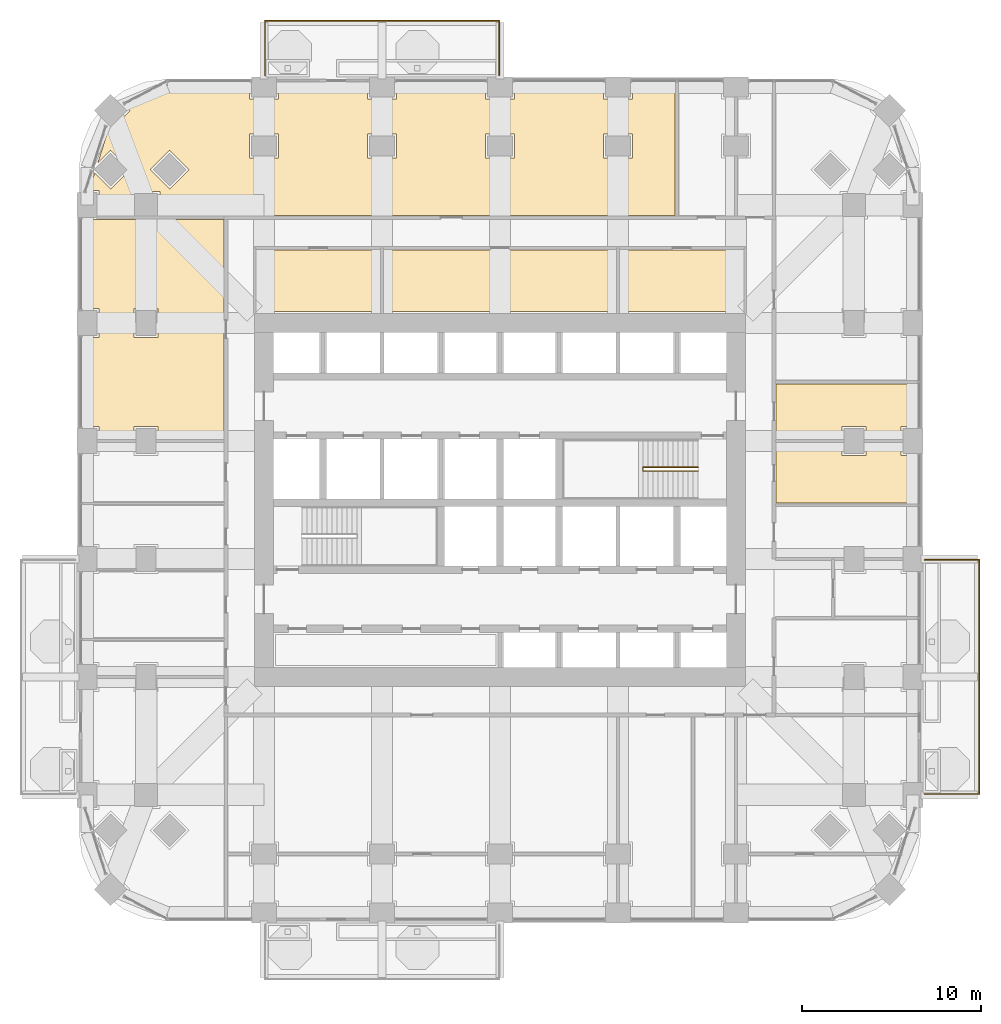
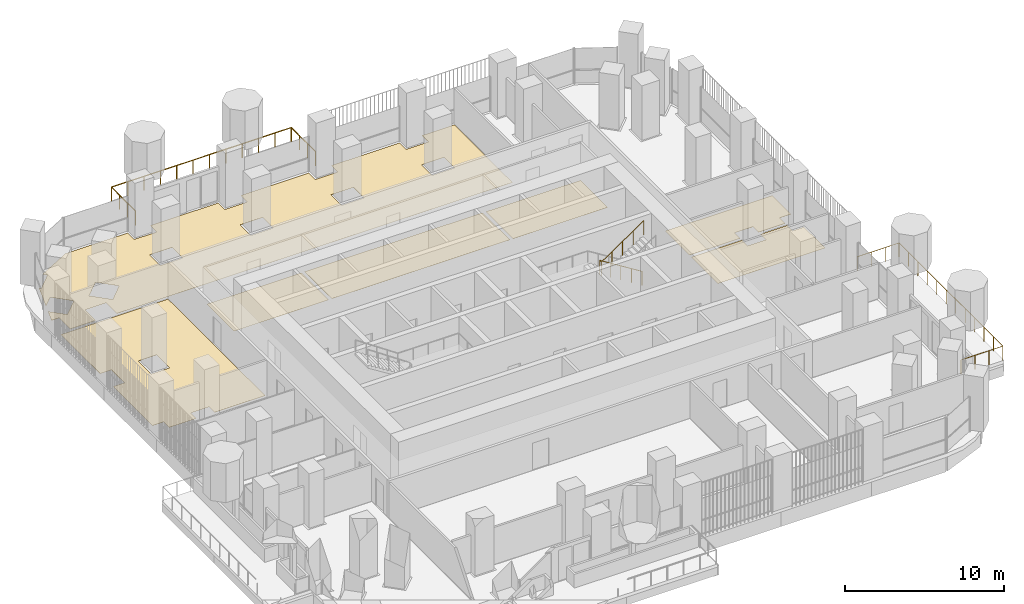
# One storey, part 19 of 21: 7 coverings, 3 railings.
"""IFC4 building model written with IfcOpenShell, lengths in metres."""

import ifcopenshell
import ifcopenshell.guid

model = None  # the IFC model being written
_history = None  # IfcOwnerHistory: only IFC2X3 demands one
_inside = {}  # id of a spatial element -> (the spatial element, [elements in it])
_under = {}  # id of a project, library or spatial element -> (it, [spatial elements below it])
_declared = {}  # id of a project -> (the project, [libraries it declares])
_typed = {}  # id of a type object -> (the type object, [elements of that type])
_made_of = {}  # id of a material, layer set ... -> (it, [elements and type objects made of it])


def new_model(schema):
    """Start an empty IFC model of exactly this schema.

    Asked for "IFC4X3", IfcOpenShell would pick the latest addendum, in which some entities
    have other attributes; the version numbers below select the first issue.
    IFC2X3 requires an IfcOwnerHistory on every rooted entity: one is made here for all.
    """
    global model, _history
    if schema == "IFC4X3":
        model = ifcopenshell.file(schema_version=(4, 3, 0, 0))
    else:
        model = ifcopenshell.file(schema=schema)
    _inside.clear()
    _under.clear()
    _declared.clear()
    _typed.clear()
    _made_of.clear()
    _history = None
    if model.schema == "IFC2X3":
        org = make("IfcOrganization", Name="unknown")
        user = make(
            "IfcPersonAndOrganization",
            ThePerson=make("IfcPerson", FamilyName="unknown"),
            TheOrganization=org,
        )
        app = make(
            "IfcApplication",
            ApplicationDeveloper=org,
            Version="unknown",
            ApplicationFullName="unknown",
            ApplicationIdentifier="unknown",
        )
        _history = make(
            "IfcOwnerHistory",
            OwningUser=user,
            OwningApplication=app,
            ChangeAction="ADDED",
            CreationDate=0,
        )
    return model


def make(cls, **values):
    """One entity of the class cls with the attributes given. An attribute that is None is left unset."""
    return model.create_entity(
        cls, **{name: value for name, value in values.items() if value is not None}
    )


def rooted(cls, **values):
    """An entity with a GlobalId (a new one), such as an element, a storey or a relation."""
    return make(cls, GlobalId=ifcopenshell.guid.new(), OwnerHistory=_history, **values)


def si_unit(unit_type, name, prefix=None):
    """IfcSIUnit, for example si_unit("LENGTHUNIT", "METRE", prefix="MILLI")."""
    return make("IfcSIUnit", UnitType=unit_type, Prefix=prefix, Name=name)


def assignment(units):
    """IfcUnitAssignment: the units of a project."""
    return None if units is None else make("IfcUnitAssignment", Units=units)


def point(xyz):
    """IfcCartesianPoint."""
    return None if xyz is None else make("IfcCartesianPoint", Coordinates=xyz)


def direction(xyz):
    """IfcDirection."""
    return None if xyz is None else make("IfcDirection", DirectionRatios=xyz)


def frame(location, z_axis=None, x_axis=None):
    """IfcAxis2Placement3D, a coordinate frame: its origin and axes. An axis left out is left unset."""
    return make(
        "IfcAxis2Placement3D",
        Location=point(location),
        Axis=direction(z_axis),
        RefDirection=direction(x_axis),
    )


def origin():
    """The frame at (0, 0, 0) with its axes left unset."""
    return frame((0.0, 0.0, 0.0))


def place(relative_to, where):
    """IfcLocalPlacement: puts the frame where relative to a parent placement (None: the world)."""
    return make(
        "IfcLocalPlacement", PlacementRelTo=relative_to, RelativePlacement=where
    )


def context(
    kind, dimensions, precision=None, world=None, true_north=None, identifier=None
):
    """IfcGeometricRepresentationContext, for example the 3D "Model" context."""
    return make(
        "IfcGeometricRepresentationContext",
        ContextIdentifier=identifier,
        ContextType=kind,
        CoordinateSpaceDimension=dimensions,
        Precision=precision,
        WorldCoordinateSystem=world,
        TrueNorth=true_north,
    )


def subcontext(parent, identifier, kind, view, scale=None):
    """IfcGeometricRepresentationSubContext, for example "Body" below "Model"."""
    return make(
        "IfcGeometricRepresentationSubContext",
        ContextIdentifier=identifier,
        ContextType=kind,
        ParentContext=parent,
        TargetScale=scale,
        TargetView=view,
    )


def project(units=None, contexts=None):
    """IfcProject with its units and contexts."""
    return rooted(
        "IfcProject",
        Name="project",
        RepresentationContexts=contexts,
        UnitsInContext=assignment(units),
    )


def spatial(cls, under=None, at=None, **own):
    """A site, building, storey or space (cls), placed at a placement, below another one or the project."""
    s = rooted(cls, ObjectPlacement=at, **own)
    if under is not None:
        _under.setdefault(under.id(), (under, []))[1].append(s)
    return s


def polyline(points):
    """IfcPolyline through the points."""
    return make("IfcPolyline", Points=[point(p) for p in points])


def outline(outer, holes=None, kind="AREA"):
    """IfcArbitraryClosedProfileDef: a profile drawn as a closed curve; with holes, ...WithVoids."""
    if holes is None:
        return make("IfcArbitraryClosedProfileDef", ProfileType=kind, OuterCurve=outer)
    return make(
        "IfcArbitraryProfileDefWithVoids",
        ProfileType=kind,
        OuterCurve=outer,
        InnerCurves=holes,
    )


def extrude(swept, where, along, depth):
    """IfcExtrudedAreaSolid: the profile swept, set in the frame where, extruded along a direction by depth."""
    return make(
        "IfcExtrudedAreaSolid",
        SweptArea=swept,
        Position=where,
        ExtrudedDirection=direction(along),
        Depth=depth,
    )


def shape(context_of_items, identifier, shape_type, items):
    """IfcShapeRepresentation: the items that make up one representation, for example the "Body"."""
    return make(
        "IfcShapeRepresentation",
        ContextOfItems=context_of_items,
        RepresentationIdentifier=identifier,
        RepresentationType=shape_type,
        Items=items,
    )


def material(Name=None, Category=None):
    """IfcMaterial."""
    return make("IfcMaterial", Name=Name, Category=Category)


def layer(
    of_material, thickness, ventilated=None, Name=None, Category=None, Priority=None
):
    """IfcMaterialLayer: one layer of a wall or slab, of a material (None: an air gap)."""
    return make(
        "IfcMaterialLayer",
        Material=of_material,
        LayerThickness=thickness,
        IsVentilated=ventilated,
        Name=Name,
        Category=Category,
        Priority=Priority,
    )


def layer_set(layers, Name=None):
    """IfcMaterialLayerSet."""
    return make("IfcMaterialLayerSet", MaterialLayers=layers, LayerSetName=Name)


def made_of(thing, what):
    """Note that an element or type object is made of a material, layer set ...; save() writes the relation."""
    if what is not None:
        _made_of.setdefault(what.id(), (what, []))[1].append(thing)
    return thing


def type_object(cls, material=None, **own):
    """A type object (cls), such as IfcWallType, which elements share."""
    return made_of(rooted(cls, **own), material)


def element(
    cls,
    number,
    at=None,
    inside=None,
    cuts=None,
    type_object=None,
    material=None,
    context=None,
    identifier="Body",
    shape_type=None,
    held_by="IfcProductDefinitionShape",
    body=None,
    shapes=None,
    **own,
):
    """One element of the class cls, such as IfcWall. Its Tag is "e" and its number.

    at: its placement. inside: the storey or other place that contains it. cuts: it is an
    opening in that element (IfcRelVoidsElement). A single representation is given by context,
    identifier, shape_type and body (its items); several are given by shapes. held_by: the class
    of the entity that holds the representations. save() writes the other relations.
    """
    e = rooted(cls, Tag="e%d" % number, ObjectPlacement=at, **own)
    if body is not None:
        shapes = [shape(context, identifier, shape_type, body)]
    if shapes is not None:
        e.Representation = make(held_by, Representations=shapes)
    if inside is not None:
        _inside.setdefault(inside.id(), (inside, []))[1].append(e)
    if cuts is not None:
        rooted(
            "IfcRelVoidsElement", RelatingBuildingElement=cuts, RelatedOpeningElement=e
        )
    if type_object is not None:
        _typed.setdefault(type_object.id(), (type_object, []))[1].append(e)
    return made_of(e, material)


def aggregate(whole, parts):
    """IfcRelAggregates: a whole, such as a stair, and the parts it consists of."""
    return rooted("IfcRelAggregates", RelatingObject=whole, RelatedObjects=parts)


def save(model, path):
    """Write the relations noted so far, then the file.

    IfcRelAggregates (storeys below a building ...), IfcRelContainedInSpatialStructure (elements
    in a storey), IfcRelDefinesByType, IfcRelAssociatesMaterial and IfcRelDeclares: one each for
    every whole, place, type object, material and project.
    """
    for whole, parts in _under.values():
        aggregate(whole, parts)
    for where, things in _inside.values():
        rooted(
            "IfcRelContainedInSpatialStructure",
            RelatedElements=things,
            RelatingStructure=where,
        )
    for kind, things in _typed.values():
        rooted("IfcRelDefinesByType", RelatedObjects=things, RelatingType=kind)
    for what, things in _made_of.values():
        rooted("IfcRelAssociatesMaterial", RelatedObjects=things, RelatingMaterial=what)
    for by, libraries in _declared.values():
        rooted("IfcRelDeclares", RelatingContext=by, RelatedDefinitions=libraries)
    model.write(path)


model = new_model("IFC4")

# Units and contexts
model_context = context("Model", 3, precision=1e-05, world=origin(), true_north=direction((0.0, 1.0)))
body_context = subcontext(model_context, "Body", "Model", "MODEL_VIEW")
ifc_project = project(units=[si_unit("LENGTHUNIT", "METRE"), si_unit("AREAUNIT", "SQUARE_METRE"), si_unit("VOLUMEUNIT", "CUBIC_METRE"), si_unit("PLANEANGLEUNIT", "RADIAN"), si_unit("MASSUNIT", "GRAM", prefix="KILO")], contexts=[model_context])

# Site, building, storey
site_placement = place(None, origin())
site = spatial("IfcSite", under=ifc_project, at=site_placement, CompositionType="ELEMENT")
building_placement = place(site_placement, origin())
building = spatial("IfcBuilding", under=site, at=building_placement, Name="Cobogo Forest Laboratory Tower", CompositionType="ELEMENT")
storey_placement = place(building_placement, frame((0.0, 0.0, 124.199951171875)))
storey = spatial("IfcBuildingStorey", under=building, at=storey_placement, Name="L28", CompositionType="ELEMENT", Elevation=124.199951171875)

# Railings
ifc_material_1 = material(Name="Laminated glass balustrade", Category="glass")
railing_type_1 = type_object("IfcRailingType", Name="BG1 glass balustrade 1100", PredefinedType="GUARDRAIL", material=ifc_material_1)
railing_1_placement = place(storey_placement, frame((50.14990234375, 6.64990234375, 0.0)))
element("IfcRailing", 1, at=railing_1_placement, inside=storey, type_object=railing_type_1, Name="Balcony balustrade BAL-E1 L28", PredefinedType="GUARDRAIL", context=body_context, shape_type="SweptSolid", body=[
    extrude(outline(polyline([(0.022216796875, 0.00927734375), (0.00927734375, 0.022216796875), (-0.00927734375, 0.022216796875), (-0.022216796875, 0.00927734375), (-0.022216796875, -0.00927734375), (-0.00927734375, -0.022216796875), (0.00927734375, -0.022216796875), (0.022216796875, -0.00927734375), (0.022216796875, 0.00927734375)])), frame((0.0, 0.0, 1.077880859375), z_axis=(1.0, 0.0, 0.0), x_axis=(0.0, 1.0, 0.0)), (0.0, 0.0, 1.0), 3.050048828125),
    extrude(outline(polyline([(0.022216796875, 0.00927734375), (0.00927734375, 0.022216796875), (-0.00927734375, 0.022216796875), (-0.022216796875, 0.00927734375), (-0.022216796875, -0.00927734375), (-0.00927734375, -0.022216796875), (0.00927734375, -0.022216796875), (0.022216796875, -0.00927734375), (0.022216796875, 0.00927734375)])), frame((3.050048828125, 0.0, 1.077880859375), z_axis=(0.0, 1.0, 0.0), x_axis=(-1.0, 0.0, 0.0)), (0.0, 0.0, 1.0), 13.10009765625),
    extrude(outline(polyline([(0.022216796875, 0.00927734375), (0.00927734375, 0.022216796875), (-0.00927734375, 0.022216796875), (-0.022216796875, 0.00927734375), (-0.022216796875, -0.00927734375), (-0.00927734375, -0.022216796875), (0.00927734375, -0.022216796875), (0.022216796875, -0.00927734375), (0.022216796875, 0.00927734375)])), frame((3.050048828125, 13.10009765625, 1.077880859375), z_axis=(-1.0, 0.0, 0.0), x_axis=(0.0, -1.0, 0.0)), (0.0, 0.0, 1.0), 3.050048828125),
    extrude(outline(polyline([(0.019287109375, 0.008056640625), (0.008056640625, 0.019287109375), (-0.008056640625, 0.019287109375), (-0.019287109375, 0.008056640625), (-0.019287109375, -0.008056640625), (-0.008056640625, -0.019287109375), (0.008056640625, -0.019287109375), (0.019287109375, -0.008056640625), (0.019287109375, 0.008056640625)])), origin(), (0.0, 0.0, 1.0), 1.077880859375),
    extrude(outline(polyline([(0.019287109375, 0.008056640625), (0.008056640625, 0.019287109375), (-0.008056640625, 0.019287109375), (-0.019287109375, 0.008056640625), (-0.019287109375, -0.008056640625), (-0.008056640625, -0.019287109375), (0.008056640625, -0.019287109375), (0.019287109375, -0.008056640625), (0.019287109375, 0.008056640625)])), frame((1.0166015625, 0.0, 0.0)), (0.0, 0.0, 1.0), 1.077880859375),
    extrude(outline(polyline([(0.019287109375, 0.008056640625), (0.008056640625, 0.019287109375), (-0.008056640625, 0.019287109375), (-0.019287109375, 0.008056640625), (-0.019287109375, -0.008056640625), (-0.008056640625, -0.019287109375), (0.008056640625, -0.019287109375), (0.019287109375, -0.008056640625), (0.019287109375, 0.008056640625)])), frame((2.033447265625, 0.0, 0.0)), (0.0, 0.0, 1.0), 1.077880859375),
    extrude(outline(polyline([(0.019287109375, 0.008056640625), (0.008056640625, 0.019287109375), (-0.008056640625, 0.019287109375), (-0.019287109375, 0.008056640625), (-0.019287109375, -0.008056640625), (-0.008056640625, -0.019287109375), (0.008056640625, -0.019287109375), (0.019287109375, -0.008056640625), (0.019287109375, 0.008056640625)])), frame((3.050048828125, 0.0, 0.0)), (0.0, 0.0, 1.0), 1.077880859375),
    extrude(outline(polyline([(0.019287109375, 0.008056640625), (0.008056640625, 0.019287109375), (-0.008056640625, 0.019287109375), (-0.019287109375, 0.008056640625), (-0.019287109375, -0.008056640625), (-0.008056640625, -0.019287109375), (0.008056640625, -0.019287109375), (0.019287109375, -0.008056640625), (0.019287109375, 0.008056640625)])), frame((3.050048828125, 1.19091796875, 0.0)), (0.0, 0.0, 1.0), 1.077880859375),
    extrude(outline(polyline([(0.019287109375, 0.008056640625), (0.008056640625, 0.019287109375), (-0.008056640625, 0.019287109375), (-0.019287109375, 0.008056640625), (-0.019287109375, -0.008056640625), (-0.008056640625, -0.019287109375), (0.008056640625, -0.019287109375), (0.019287109375, -0.008056640625), (0.019287109375, 0.008056640625)])), frame((3.050048828125, 2.3818359375, 0.0)), (0.0, 0.0, 1.0), 1.077880859375),
    extrude(outline(polyline([(0.019287109375, 0.008056640625), (0.008056640625, 0.019287109375), (-0.008056640625, 0.019287109375), (-0.019287109375, 0.008056640625), (-0.019287109375, -0.008056640625), (-0.008056640625, -0.019287109375), (0.008056640625, -0.019287109375), (0.019287109375, -0.008056640625), (0.019287109375, 0.008056640625)])), frame((3.050048828125, 3.57275390625, 0.0)), (0.0, 0.0, 1.0), 1.077880859375),
    extrude(outline(polyline([(0.019287109375, 0.008056640625), (0.008056640625, 0.019287109375), (-0.008056640625, 0.019287109375), (-0.019287109375, 0.008056640625), (-0.019287109375, -0.008056640625), (-0.008056640625, -0.019287109375), (0.008056640625, -0.019287109375), (0.019287109375, -0.008056640625), (0.019287109375, 0.008056640625)])), frame((3.050048828125, 4.763671875, 0.0)), (0.0, 0.0, 1.0), 1.077880859375),
    extrude(outline(polyline([(0.019287109375, 0.008056640625), (0.008056640625, 0.019287109375), (-0.008056640625, 0.019287109375), (-0.019287109375, 0.008056640625), (-0.019287109375, -0.008056640625), (-0.008056640625, -0.019287109375), (0.008056640625, -0.019287109375), (0.019287109375, -0.008056640625), (0.019287109375, 0.008056640625)])), frame((3.050048828125, 5.95458984375, 0.0)), (0.0, 0.0, 1.0), 1.077880859375),
    extrude(outline(polyline([(0.019287109375, 0.008056640625), (0.008056640625, 0.019287109375), (-0.008056640625, 0.019287109375), (-0.019287109375, 0.008056640625), (-0.019287109375, -0.008056640625), (-0.008056640625, -0.019287109375), (0.008056640625, -0.019287109375), (0.019287109375, -0.008056640625), (0.019287109375, 0.008056640625)])), frame((3.050048828125, 7.1455078125, 0.0)), (0.0, 0.0, 1.0), 1.077880859375),
    extrude(outline(polyline([(0.019287109375, 0.008056640625), (0.008056640625, 0.019287109375), (-0.008056640625, 0.019287109375), (-0.019287109375, 0.008056640625), (-0.019287109375, -0.008056640625), (-0.008056640625, -0.019287109375), (0.008056640625, -0.019287109375), (0.019287109375, -0.008056640625), (0.019287109375, 0.008056640625)])), frame((3.050048828125, 8.33642578125, 0.0)), (0.0, 0.0, 1.0), 1.077880859375),
    extrude(outline(polyline([(0.019287109375, 0.008056640625), (0.008056640625, 0.019287109375), (-0.008056640625, 0.019287109375), (-0.019287109375, 0.008056640625), (-0.019287109375, -0.008056640625), (-0.008056640625, -0.019287109375), (0.008056640625, -0.019287109375), (0.019287109375, -0.008056640625), (0.019287109375, 0.008056640625)])), frame((3.050048828125, 9.52734375, 0.0)), (0.0, 0.0, 1.0), 1.077880859375),
    extrude(outline(polyline([(0.019287109375, 0.008056640625), (0.008056640625, 0.019287109375), (-0.008056640625, 0.019287109375), (-0.019287109375, 0.008056640625), (-0.019287109375, -0.008056640625), (-0.008056640625, -0.019287109375), (0.008056640625, -0.019287109375), (0.019287109375, -0.008056640625), (0.019287109375, 0.008056640625)])), frame((3.050048828125, 10.71826171875, 0.0)), (0.0, 0.0, 1.0), 1.077880859375),
    extrude(outline(polyline([(0.019287109375, 0.008056640625), (0.008056640625, 0.019287109375), (-0.008056640625, 0.019287109375), (-0.019287109375, 0.008056640625), (-0.019287109375, -0.008056640625), (-0.008056640625, -0.019287109375), (0.008056640625, -0.019287109375), (0.019287109375, -0.008056640625), (0.019287109375, 0.008056640625)])), frame((3.050048828125, 11.9091796875, 0.0)), (0.0, 0.0, 1.0), 1.077880859375),
    extrude(outline(polyline([(0.019287109375, 0.008056640625), (0.008056640625, 0.019287109375), (-0.008056640625, 0.019287109375), (-0.019287109375, 0.008056640625), (-0.019287109375, -0.008056640625), (-0.008056640625, -0.019287109375), (0.008056640625, -0.019287109375), (0.019287109375, -0.008056640625), (0.019287109375, 0.008056640625)])), frame((3.050048828125, 13.10009765625, 0.0)), (0.0, 0.0, 1.0), 1.077880859375),
    extrude(outline(polyline([(0.019287109375, 0.008056640625), (0.008056640625, 0.019287109375), (-0.008056640625, 0.019287109375), (-0.019287109375, 0.008056640625), (-0.019287109375, -0.008056640625), (-0.008056640625, -0.019287109375), (0.008056640625, -0.019287109375), (0.019287109375, -0.008056640625), (0.019287109375, 0.008056640625)])), frame((2.033447265625, 13.10009765625, 0.0)), (0.0, 0.0, 1.0), 1.077880859375),
    extrude(outline(polyline([(0.019287109375, 0.008056640625), (0.008056640625, 0.019287109375), (-0.008056640625, 0.019287109375), (-0.019287109375, 0.008056640625), (-0.019287109375, -0.008056640625), (-0.008056640625, -0.019287109375), (0.008056640625, -0.019287109375), (0.019287109375, -0.008056640625), (0.019287109375, 0.008056640625)])), frame((1.0166015625, 13.10009765625, 0.0)), (0.0, 0.0, 1.0), 1.077880859375),
    extrude(outline(polyline([(0.019287109375, 0.008056640625), (0.008056640625, 0.019287109375), (-0.008056640625, 0.019287109375), (-0.019287109375, 0.008056640625), (-0.019287109375, -0.008056640625), (-0.008056640625, -0.019287109375), (0.008056640625, -0.019287109375), (0.019287109375, -0.008056640625), (0.019287109375, 0.008056640625)])), frame((0.0, 13.10009765625, 0.0)), (0.0, 0.0, 1.0), 1.077880859375),
])
railing_2_placement = place(storey_placement, frame((13.25, 46.85009765625, 0.0)))
element("IfcRailing", 2, at=railing_2_placement, inside=storey, type_object=railing_type_1, Name="Balcony balustrade BAL-N1 L28", PredefinedType="GUARDRAIL", context=body_context, shape_type="SweptSolid", body=[
    extrude(outline(polyline([(0.022216796875, 0.00927734375), (0.00927734375, 0.022216796875), (-0.00927734375, 0.022216796875), (-0.022216796875, 0.00927734375), (-0.022216796875, -0.00927734375), (-0.00927734375, -0.022216796875), (0.00927734375, -0.022216796875), (0.022216796875, -0.00927734375), (0.022216796875, 0.00927734375)])), frame((0.0, 0.0, 1.077880859375), z_axis=(0.0, 1.0, 0.0), x_axis=(-1.0, 0.0, 0.0)), (0.0, 0.0, 1.0), 3.0498046875),
    extrude(outline(polyline([(0.022216796875, 0.00927734375), (0.00927734375, 0.022216796875), (-0.00927734375, 0.022216796875), (-0.022216796875, 0.00927734375), (-0.022216796875, -0.00927734375), (-0.00927734375, -0.022216796875), (0.00927734375, -0.022216796875), (0.022216796875, -0.00927734375), (0.022216796875, 0.00927734375)])), frame((0.0, 3.0498046875, 1.077880859375), z_axis=(1.0, 0.0, 0.0), x_axis=(0.0, 1.0, 0.0)), (0.0, 0.0, 1.0), 13.10009765625),
    extrude(outline(polyline([(0.022216796875, 0.00927734375), (0.00927734375, 0.022216796875), (-0.00927734375, 0.022216796875), (-0.022216796875, 0.00927734375), (-0.022216796875, -0.00927734375), (-0.00927734375, -0.022216796875), (0.00927734375, -0.022216796875), (0.022216796875, -0.00927734375), (0.022216796875, 0.00927734375)])), frame((13.10009765625, 3.0498046875, 1.077880859375), z_axis=(0.0, -1.0, 0.0), x_axis=(1.0, 0.0, 0.0)), (0.0, 0.0, 1.0), 3.0498046875),
    extrude(outline(polyline([(0.019287109375, 0.008056640625), (0.008056640625, 0.019287109375), (-0.008056640625, 0.019287109375), (-0.019287109375, 0.008056640625), (-0.019287109375, -0.008056640625), (-0.008056640625, -0.019287109375), (0.008056640625, -0.019287109375), (0.019287109375, -0.008056640625), (0.019287109375, 0.008056640625)])), origin(), (0.0, 0.0, 1.0), 1.077880859375),
    extrude(outline(polyline([(0.019287109375, 0.008056640625), (0.008056640625, 0.019287109375), (-0.008056640625, 0.019287109375), (-0.019287109375, 0.008056640625), (-0.019287109375, -0.008056640625), (-0.008056640625, -0.019287109375), (0.008056640625, -0.019287109375), (0.019287109375, -0.008056640625), (0.019287109375, 0.008056640625)])), frame((0.0, 1.0166015625, 0.0)), (0.0, 0.0, 1.0), 1.077880859375),
    extrude(outline(polyline([(0.019287109375, 0.008056640625), (0.008056640625, 0.019287109375), (-0.008056640625, 0.019287109375), (-0.019287109375, 0.008056640625), (-0.019287109375, -0.008056640625), (-0.008056640625, -0.019287109375), (0.008056640625, -0.019287109375), (0.019287109375, -0.008056640625), (0.019287109375, 0.008056640625)])), frame((0.0, 2.033203125, 0.0)), (0.0, 0.0, 1.0), 1.077880859375),
    extrude(outline(polyline([(0.019287109375, 0.008056640625), (0.008056640625, 0.019287109375), (-0.008056640625, 0.019287109375), (-0.019287109375, 0.008056640625), (-0.019287109375, -0.008056640625), (-0.008056640625, -0.019287109375), (0.008056640625, -0.019287109375), (0.019287109375, -0.008056640625), (0.019287109375, 0.008056640625)])), frame((0.0, 3.0498046875, 0.0)), (0.0, 0.0, 1.0), 1.077880859375),
    extrude(outline(polyline([(0.019287109375, 0.008056640625), (0.008056640625, 0.019287109375), (-0.008056640625, 0.019287109375), (-0.019287109375, 0.008056640625), (-0.019287109375, -0.008056640625), (-0.008056640625, -0.019287109375), (0.008056640625, -0.019287109375), (0.019287109375, -0.008056640625), (0.019287109375, 0.008056640625)])), frame((1.19091796875, 3.0498046875, 0.0)), (0.0, 0.0, 1.0), 1.077880859375),
    extrude(outline(polyline([(0.019287109375, 0.008056640625), (0.008056640625, 0.019287109375), (-0.008056640625, 0.019287109375), (-0.019287109375, 0.008056640625), (-0.019287109375, -0.008056640625), (-0.008056640625, -0.019287109375), (0.008056640625, -0.019287109375), (0.019287109375, -0.008056640625), (0.019287109375, 0.008056640625)])), frame((2.3818359375, 3.0498046875, 0.0)), (0.0, 0.0, 1.0), 1.077880859375),
    extrude(outline(polyline([(0.019287109375, 0.008056640625), (0.008056640625, 0.019287109375), (-0.008056640625, 0.019287109375), (-0.019287109375, 0.008056640625), (-0.019287109375, -0.008056640625), (-0.008056640625, -0.019287109375), (0.008056640625, -0.019287109375), (0.019287109375, -0.008056640625), (0.019287109375, 0.008056640625)])), frame((3.57275390625, 3.0498046875, 0.0)), (0.0, 0.0, 1.0), 1.077880859375),
    extrude(outline(polyline([(0.019287109375, 0.008056640625), (0.008056640625, 0.019287109375), (-0.008056640625, 0.019287109375), (-0.019287109375, 0.008056640625), (-0.019287109375, -0.008056640625), (-0.008056640625, -0.019287109375), (0.008056640625, -0.019287109375), (0.019287109375, -0.008056640625), (0.019287109375, 0.008056640625)])), frame((4.763671875, 3.0498046875, 0.0)), (0.0, 0.0, 1.0), 1.077880859375),
    extrude(outline(polyline([(0.019287109375, 0.008056640625), (0.008056640625, 0.019287109375), (-0.008056640625, 0.019287109375), (-0.019287109375, 0.008056640625), (-0.019287109375, -0.008056640625), (-0.008056640625, -0.019287109375), (0.008056640625, -0.019287109375), (0.019287109375, -0.008056640625), (0.019287109375, 0.008056640625)])), frame((5.95458984375, 3.0498046875, 0.0)), (0.0, 0.0, 1.0), 1.077880859375),
    extrude(outline(polyline([(0.019287109375, 0.008056640625), (0.008056640625, 0.019287109375), (-0.008056640625, 0.019287109375), (-0.019287109375, 0.008056640625), (-0.019287109375, -0.008056640625), (-0.008056640625, -0.019287109375), (0.008056640625, -0.019287109375), (0.019287109375, -0.008056640625), (0.019287109375, 0.008056640625)])), frame((7.1455078125, 3.0498046875, 0.0)), (0.0, 0.0, 1.0), 1.077880859375),
    extrude(outline(polyline([(0.019287109375, 0.008056640625), (0.008056640625, 0.019287109375), (-0.008056640625, 0.019287109375), (-0.019287109375, 0.008056640625), (-0.019287109375, -0.008056640625), (-0.008056640625, -0.019287109375), (0.008056640625, -0.019287109375), (0.019287109375, -0.008056640625), (0.019287109375, 0.008056640625)])), frame((8.33642578125, 3.0498046875, 0.0)), (0.0, 0.0, 1.0), 1.077880859375),
    extrude(outline(polyline([(0.019287109375, 0.008056640625), (0.008056640625, 0.019287109375), (-0.008056640625, 0.019287109375), (-0.019287109375, 0.008056640625), (-0.019287109375, -0.008056640625), (-0.008056640625, -0.019287109375), (0.008056640625, -0.019287109375), (0.019287109375, -0.008056640625), (0.019287109375, 0.008056640625)])), frame((9.52734375, 3.0498046875, 0.0)), (0.0, 0.0, 1.0), 1.077880859375),
    extrude(outline(polyline([(0.019287109375, 0.008056640625), (0.008056640625, 0.019287109375), (-0.008056640625, 0.019287109375), (-0.019287109375, 0.008056640625), (-0.019287109375, -0.008056640625), (-0.008056640625, -0.019287109375), (0.008056640625, -0.019287109375), (0.019287109375, -0.008056640625), (0.019287109375, 0.008056640625)])), frame((10.71826171875, 3.0498046875, 0.0)), (0.0, 0.0, 1.0), 1.077880859375),
    extrude(outline(polyline([(0.019287109375, 0.008056640625), (0.008056640625, 0.019287109375), (-0.008056640625, 0.019287109375), (-0.019287109375, 0.008056640625), (-0.019287109375, -0.008056640625), (-0.008056640625, -0.019287109375), (0.008056640625, -0.019287109375), (0.019287109375, -0.008056640625), (0.019287109375, 0.008056640625)])), frame((11.9091796875, 3.0498046875, 0.0)), (0.0, 0.0, 1.0), 1.077880859375),
    extrude(outline(polyline([(0.019287109375, 0.008056640625), (0.008056640625, 0.019287109375), (-0.008056640625, 0.019287109375), (-0.019287109375, 0.008056640625), (-0.019287109375, -0.008056640625), (-0.008056640625, -0.019287109375), (0.008056640625, -0.019287109375), (0.019287109375, -0.008056640625), (0.019287109375, 0.008056640625)])), frame((13.10009765625, 3.0498046875, 0.0)), (0.0, 0.0, 1.0), 1.077880859375),
    extrude(outline(polyline([(0.019287109375, 0.008056640625), (0.008056640625, 0.019287109375), (-0.008056640625, 0.019287109375), (-0.019287109375, 0.008056640625), (-0.019287109375, -0.008056640625), (-0.008056640625, -0.019287109375), (0.008056640625, -0.019287109375), (0.019287109375, -0.008056640625), (0.019287109375, 0.008056640625)])), frame((13.10009765625, 2.033203125, 0.0)), (0.0, 0.0, 1.0), 1.077880859375),
    extrude(outline(polyline([(0.019287109375, 0.008056640625), (0.008056640625, 0.019287109375), (-0.008056640625, 0.019287109375), (-0.019287109375, 0.008056640625), (-0.019287109375, -0.008056640625), (-0.008056640625, -0.019287109375), (0.008056640625, -0.019287109375), (0.019287109375, -0.008056640625), (0.019287109375, 0.008056640625)])), frame((13.10009765625, 1.0166015625, 0.0)), (0.0, 0.0, 1.0), 1.077880859375),
    extrude(outline(polyline([(0.019287109375, 0.008056640625), (0.008056640625, 0.019287109375), (-0.008056640625, 0.019287109375), (-0.019287109375, 0.008056640625), (-0.019287109375, -0.008056640625), (-0.008056640625, -0.019287109375), (0.008056640625, -0.019287109375), (0.019287109375, -0.008056640625), (0.019287109375, 0.008056640625)])), frame((13.10009765625, 0.0, 0.0)), (0.0, 0.0, 1.0), 1.077880859375),
])

# Coverings
ifc_material_2 = material(Name="Carpet tile on raised access floor", Category="flooring")
ifc_layer_1 = layer(ifc_material_2, 0.008056640625)
ifc_layer_set_1 = layer_set([ifc_layer_1], Name="CT1 carpet tile floor 8")
covering_type_1 = type_object("IfcCoveringType", Name="CT1 carpet tile floor 8", PredefinedType="FLOORING", material=ifc_layer_set_1)
covering_1_placement = place(storey_placement, origin())
element("IfcCovering", 3, at=covering_1_placement, inside=storey, type_object=covering_type_1, Name="Carpet floor L28-14", PredefinedType="FLOORING", context=body_context, shape_type="SweptSolid", body=[
    extrude(outline(polyline([(41.844970703125, 29.580078125), (49.64990234375, 29.580078125), (49.64990234375, 27.219970703125), (48.830078125, 27.219970703125), (48.830078125, 26.52001953125), (46.8701171875, 26.52001953125), (46.8701171875, 27.219970703125), (45.530029296875, 27.219970703125), (45.530029296875, 26.52001953125), (41.844970703125, 26.52001953125), (41.844970703125, 29.580078125)])), origin(), (0.0, 0.0, 1.0), 0.008056640625),
])
covering_2_placement = place(storey_placement, origin())
element("IfcCovering", 4, at=covering_2_placement, inside=storey, type_object=covering_type_1, Name="Carpet floor L28-24", PredefinedType="FLOORING", context=body_context, shape_type="SweptSolid", body=[
    extrude(outline(polyline([(10.955078125, 26.52001953125), (7.27001953125, 26.52001953125), (7.27001953125, 27.219970703125), (5.929931640625, 27.219970703125), (5.929931640625, 26.52001953125), (3.969970703125, 26.52001953125), (3.969970703125, 27.219970703125), (3.14990234375, 27.219970703125), (3.14990234375, 32.179931640625), (3.969970703125, 32.179931640625), (3.969970703125, 33.820068359375), (3.14990234375, 33.820068359375), (3.14990234375, 38.780029296875), (10.955078125, 38.780029296875), (10.955078125, 26.52001953125)]), holes=[polyline([(5.929931640625, 32.179931640625), (7.27001953125, 32.179931640625), (7.27001953125, 33.820068359375), (5.929931640625, 33.820068359375), (5.929931640625, 32.179931640625)])]), origin(), (0.0, 0.0, 1.0), 0.008056640625),
])

# Railing
ifc_material_3 = material(Name="Steel balustrade", Category="steel")
railing_type_2 = type_object("IfcRailingType", Name="GR stair guard 1100", PredefinedType="GUARDRAIL", material=ifc_material_3)
railing_3_placement = place(storey_placement, frame((37.47509765625, 24.929931640625, 0.175048828125)))
element("IfcRailing", 5, at=railing_3_placement, inside=storey, type_object=railing_type_2, Name="Stair guard ST2 L28", PredefinedType="GUARDRAIL", context=body_context, shape_type="SweptSolid", body=[
    extrude(outline(polyline([(0.022216796875, 0.00927734375), (0.00927734375, 0.022216796875), (-0.00927734375, 0.022216796875), (-0.022216796875, 0.00927734375), (-0.022216796875, -0.00927734375), (-0.00927734375, -0.022216796875), (0.00927734375, -0.022216796875), (0.022216796875, -0.00927734375), (0.022216796875, 0.00927734375)])), frame((0.0, 0.0, 1.077880859375), z_axis=(-0.847998304005, 0.0, 0.529998940003), x_axis=(0.0, -1.0, 0.0)), (0.0, 0.0, 1.0), 3.632080078125),
    extrude(outline(polyline([(0.022216796875, 0.00927734375), (0.00927734375, 0.022216796875), (-0.00927734375, 0.022216796875), (-0.022216796875, 0.00927734375), (-0.022216796875, -0.00927734375), (-0.00927734375, -0.022216796875), (0.00927734375, -0.022216796875), (0.022216796875, -0.00927734375), (0.022216796875, 0.00927734375)])), frame((-3.080078125, 0.0, 3.0029296875), z_axis=(0.0, -1.0, 0.0), x_axis=(1.0, 0.0, 0.0)), (0.0, 0.0, 1.0), 0.2099609375),
    extrude(outline(polyline([(0.022216796875, 0.00927734375), (0.00927734375, 0.022216796875), (-0.00927734375, 0.022216796875), (-0.022216796875, 0.00927734375), (-0.022216796875, -0.00927734375), (-0.00927734375, -0.022216796875), (0.00927734375, -0.022216796875), (0.022216796875, -0.00927734375), (0.022216796875, 0.00927734375)])), frame((-3.080078125, -0.2099609375, 3.0029296875), z_axis=(0.826252282691, 0.0, 0.563300244406), x_axis=(0.0, 1.0, 0.0)), (0.0, 0.0, 1.0), 3.727783203125),
    extrude(outline(polyline([(0.019287109375, 0.008056640625), (0.008056640625, 0.019287109375), (-0.008056640625, 0.019287109375), (-0.019287109375, 0.008056640625), (-0.019287109375, -0.008056640625), (-0.008056640625, -0.019287109375), (0.008056640625, -0.019287109375), (0.019287109375, -0.008056640625), (0.019287109375, 0.008056640625)])), origin(), (0.0, 0.0, 1.0), 1.077880859375),
    extrude(outline(polyline([(0.019287109375, 0.008056640625), (0.008056640625, 0.019287109375), (-0.008056640625, 0.019287109375), (-0.019287109375, 0.008056640625), (-0.019287109375, -0.008056640625), (-0.008056640625, -0.019287109375), (0.008056640625, -0.019287109375), (0.019287109375, -0.008056640625), (0.019287109375, 0.008056640625)])), frame((-0.77001953125, 0.0, 0.481201171875)), (0.0, 0.0, 1.0), 1.077880859375),
    extrude(outline(polyline([(0.019287109375, 0.008056640625), (0.008056640625, 0.019287109375), (-0.008056640625, 0.019287109375), (-0.019287109375, 0.008056640625), (-0.019287109375, -0.008056640625), (-0.008056640625, -0.019287109375), (0.008056640625, -0.019287109375), (0.019287109375, -0.008056640625), (0.019287109375, 0.008056640625)])), frame((-1.5400390625, 0.0, 0.96240234375)), (0.0, 0.0, 1.0), 1.077880859375),
    extrude(outline(polyline([(0.019287109375, 0.008056640625), (0.008056640625, 0.019287109375), (-0.008056640625, 0.019287109375), (-0.019287109375, 0.008056640625), (-0.019287109375, -0.008056640625), (-0.008056640625, -0.019287109375), (0.008056640625, -0.019287109375), (0.019287109375, -0.008056640625), (0.019287109375, 0.008056640625)])), frame((-2.31005859375, 0.0, 1.44384765625)), (0.0, 0.0, 1.0), 1.077880859375),
    extrude(outline(polyline([(0.019287109375, 0.008056640625), (0.008056640625, 0.019287109375), (-0.008056640625, 0.019287109375), (-0.019287109375, 0.008056640625), (-0.019287109375, -0.008056640625), (-0.008056640625, -0.019287109375), (0.008056640625, -0.019287109375), (0.019287109375, -0.008056640625), (0.019287109375, 0.008056640625)])), frame((-3.080078125, 0.0, 1.925048828125)), (0.0, 0.0, 1.0), 1.077880859375),
    extrude(outline(polyline([(0.019287109375, 0.008056640625), (0.008056640625, 0.019287109375), (-0.008056640625, 0.019287109375), (-0.019287109375, 0.008056640625), (-0.019287109375, -0.008056640625), (-0.008056640625, -0.019287109375), (0.008056640625, -0.019287109375), (0.019287109375, -0.008056640625), (0.019287109375, 0.008056640625)])), frame((-3.080078125, -0.2099609375, 1.925048828125)), (0.0, 0.0, 1.0), 1.077880859375),
    extrude(outline(polyline([(0.019287109375, 0.008056640625), (0.008056640625, 0.019287109375), (-0.008056640625, 0.019287109375), (-0.019287109375, 0.008056640625), (-0.019287109375, -0.008056640625), (-0.008056640625, -0.019287109375), (0.008056640625, -0.019287109375), (0.019287109375, -0.008056640625), (0.019287109375, 0.008056640625)])), frame((-2.31005859375, -0.2099609375, 2.449951171875)), (0.0, 0.0, 1.0), 1.077880859375),
    extrude(outline(polyline([(0.019287109375, 0.008056640625), (0.008056640625, 0.019287109375), (-0.008056640625, 0.019287109375), (-0.019287109375, 0.008056640625), (-0.019287109375, -0.008056640625), (-0.008056640625, -0.019287109375), (0.008056640625, -0.019287109375), (0.019287109375, -0.008056640625), (0.019287109375, 0.008056640625)])), frame((-1.5400390625, -0.2099609375, 2.97509765625)), (0.0, 0.0, 1.0), 1.077880859375),
    extrude(outline(polyline([(0.019287109375, 0.008056640625), (0.008056640625, 0.019287109375), (-0.008056640625, 0.019287109375), (-0.019287109375, 0.008056640625), (-0.019287109375, -0.008056640625), (-0.008056640625, -0.019287109375), (0.008056640625, -0.019287109375), (0.019287109375, -0.008056640625), (0.019287109375, 0.008056640625)])), frame((-0.77001953125, -0.2099609375, 3.5)), (0.0, 0.0, 1.0), 1.077880859375),
    extrude(outline(polyline([(0.019287109375, 0.008056640625), (0.008056640625, 0.019287109375), (-0.008056640625, 0.019287109375), (-0.019287109375, 0.008056640625), (-0.019287109375, -0.008056640625), (-0.008056640625, -0.019287109375), (0.008056640625, -0.019287109375), (0.019287109375, -0.008056640625), (0.019287109375, 0.008056640625)])), frame((0.0, -0.2099609375, 4.02490234375)), (0.0, 0.0, 1.0), 1.077880859375),
])

# Coverings
ifc_material_4 = material(Name="Epoxy resin flooring", Category="flooring")
ifc_layer_2 = layer(ifc_material_4, 0.00390625)
ifc_layer_set_2 = layer_set([ifc_layer_2], Name="LF1 epoxy laboratory floor 4")
covering_type_2 = type_object("IfcCoveringType", Name="LF1 epoxy laboratory floor 4", PredefinedType="FLOORING", material=ifc_layer_set_2)
covering_3_placement = place(storey_placement, origin())
element("IfcCovering", 6, at=covering_3_placement, inside=storey, type_object=covering_type_2, Name="Epoxy laboratory floor L28-01", PredefinedType="FLOORING", context=body_context, shape_type="SweptSolid", body=[
    extrude(outline(polyline([(19.679931640625, 33.64501953125), (12.794921875, 33.64501953125), (12.794921875, 37.080078125), (19.679931640625, 37.080078125), (19.679931640625, 33.64501953125)])), origin(), (0.0, 0.0, 1.0), 0.004150390625),
])
covering_4_placement = place(storey_placement, origin())
element("IfcCovering", 7, at=covering_4_placement, inside=storey, type_object=covering_type_2, Name="Epoxy laboratory floor L28-03", PredefinedType="FLOORING", context=body_context, shape_type="SweptSolid", body=[
    extrude(outline(polyline([(40.0048828125, 33.64501953125), (33.1201171875, 33.64501953125), (33.1201171875, 37.080078125), (40.0048828125, 37.080078125), (40.0048828125, 33.64501953125)])), origin(), (0.0, 0.0, 1.0), 0.004150390625),
])
covering_5_placement = place(storey_placement, origin())
element("IfcCovering", 8, at=covering_5_placement, inside=storey, type_object=covering_type_2, Name="Epoxy laboratory floor L28-16", PredefinedType="FLOORING", context=body_context, shape_type="SweptSolid", body=[
    extrude(outline(polyline([(3.72412109375, 41.386962890625), (4.617919921875, 40.492919921875), (5.70703125, 41.58203125), (4.617919921875, 42.6708984375), (3.904052734375, 41.95703125), (4.51611328125, 43.89501953125), (4.617919921875, 43.79296875), (5.70703125, 44.882080078125), (5.480712890625, 45.1083984375), (7.84912109375, 46.35009765625), (12.3798828125, 46.35009765625), (12.3798828125, 45.530029296875), (14.02001953125, 45.530029296875), (14.02001953125, 46.35009765625), (18.97998046875, 46.35009765625), (18.97998046875, 45.530029296875), (20.6201171875, 45.530029296875), (20.6201171875, 46.35009765625), (25.580078125, 46.35009765625), (25.580078125, 45.530029296875), (27.219970703125, 45.530029296875), (27.219970703125, 46.35009765625), (32.179931640625, 46.35009765625), (32.179931640625, 45.530029296875), (33.820068359375, 45.530029296875), (33.820068359375, 46.35009765625), (36.179931640625, 46.35009765625), (36.179931640625, 39.02001953125), (7.3701171875, 39.02001953125), (7.3701171875, 40.3701171875), (5.830078125, 40.3701171875), (5.830078125, 39.02001953125), (3.969970703125, 39.02001953125), (3.969970703125, 40.419921875), (3.418701171875, 40.419921875), (3.72412109375, 41.386962890625)]), holes=[polyline([(32.179931640625, 43.570068359375), (32.179931640625, 42.22998046875), (33.820068359375, 42.22998046875), (33.820068359375, 43.570068359375), (32.179931640625, 43.570068359375)]), polyline([(25.580078125, 43.570068359375), (25.580078125, 42.22998046875), (27.219970703125, 42.22998046875), (27.219970703125, 43.570068359375), (25.580078125, 43.570068359375)]), polyline([(18.97998046875, 42.22998046875), (20.6201171875, 42.22998046875), (20.6201171875, 43.570068359375), (18.97998046875, 43.570068359375), (18.97998046875, 42.22998046875)]), polyline([(12.3798828125, 43.570068359375), (12.3798828125, 42.22998046875), (14.02001953125, 42.22998046875), (14.02001953125, 43.570068359375), (12.3798828125, 43.570068359375)]), polyline([(6.8291015625, 41.58203125), (7.91796875, 40.492919921875), (9.007080078125, 41.58203125), (7.91796875, 42.6708984375), (6.8291015625, 41.58203125)])]), origin(), (0.0, 0.0, 1.0), 0.004150390625),
])
ifc_material_5 = material(Name="Static-dissipative vinyl flooring", Category="flooring")
ifc_layer_3 = layer(ifc_material_5, 0.0029296875)
ifc_layer_set_3 = layer_set([ifc_layer_3], Name="SD1 static-dissipative vinyl floor 3")
covering_type_3 = type_object("IfcCoveringType", Name="SD1 static-dissipative vinyl floor 3", PredefinedType="FLOORING", material=ifc_layer_set_3)
covering_6_placement = place(storey_placement, origin())
element("IfcCovering", 9, at=covering_6_placement, inside=storey, type_object=covering_type_3, Name="Static-dissipative floor L28-13", PredefinedType="FLOORING", context=body_context, shape_type="SweptSolid", body=[
    extrude(outline(polyline([(41.844970703125, 26.280029296875), (45.530029296875, 26.280029296875), (45.530029296875, 25.580078125), (46.8701171875, 25.580078125), (46.8701171875, 26.280029296875), (48.830078125, 26.280029296875), (48.830078125, 25.580078125), (49.64990234375, 25.580078125), (49.64990234375, 22.919921875), (41.844970703125, 22.919921875), (41.844970703125, 26.280029296875)])), origin(), (0.0, 0.0, 1.0), 0.0029296875),
])
ifc_material_6 = material(Name="Ceramic floor tile", Category="flooring")
ifc_layer_4 = layer(ifc_material_6, 0.010009765625)
ifc_layer_set_4 = layer_set([ifc_layer_4], Name="TF1 ceramic tile floor 10")
covering_type_4 = type_object("IfcCoveringType", Name="TF1 ceramic tile floor 10", PredefinedType="FLOORING", material=ifc_layer_set_4)
covering_7_placement = place(storey_placement, origin())
element("IfcCovering", 10, at=covering_7_placement, inside=storey, type_object=covering_type_4, Name="Tile floor L28-02", PredefinedType="FLOORING", context=body_context, shape_type="SweptSolid", body=[
    extrude(outline(polyline([(32.8798828125, 33.64501953125), (19.919921875, 33.64501953125), (19.919921875, 37.080078125), (32.8798828125, 37.080078125), (32.8798828125, 33.64501953125)])), origin(), (0.0, 0.0, 1.0), 0.010009765625),
])

save(model, "model.ifc")
